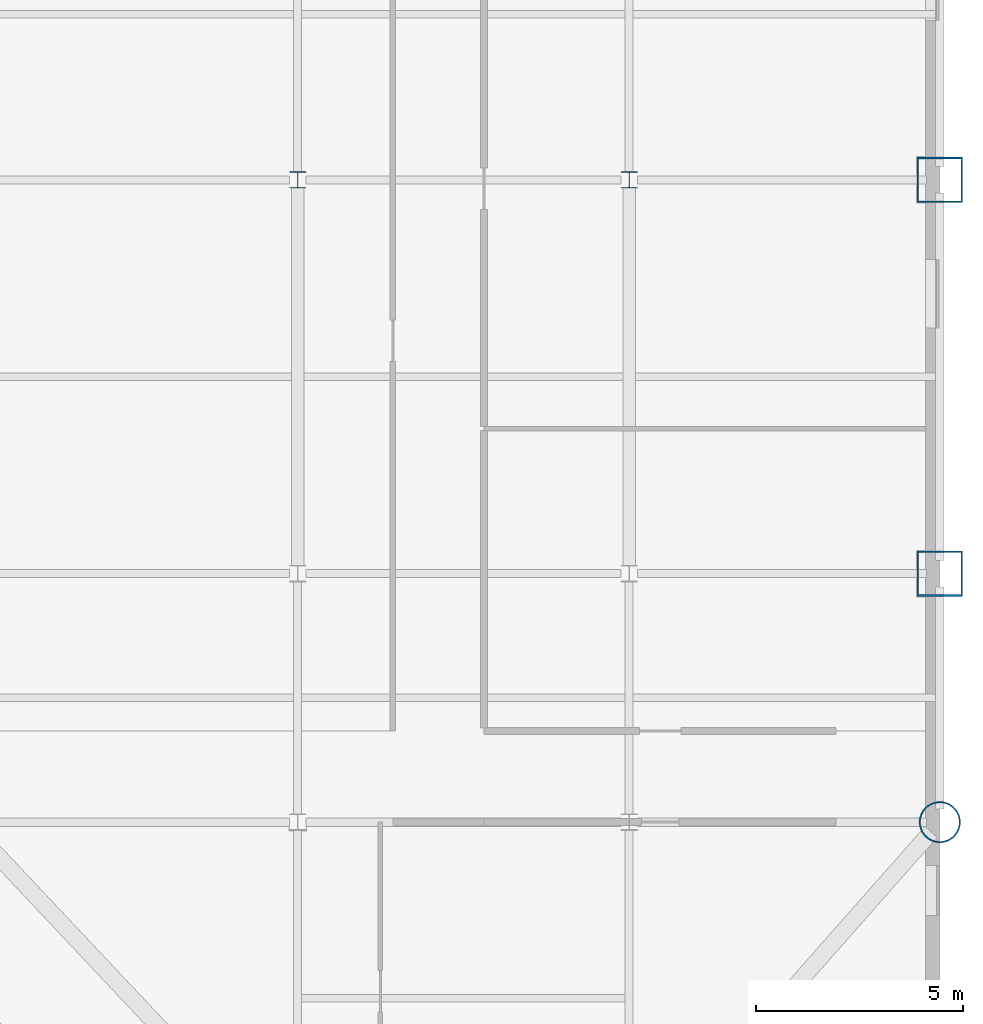
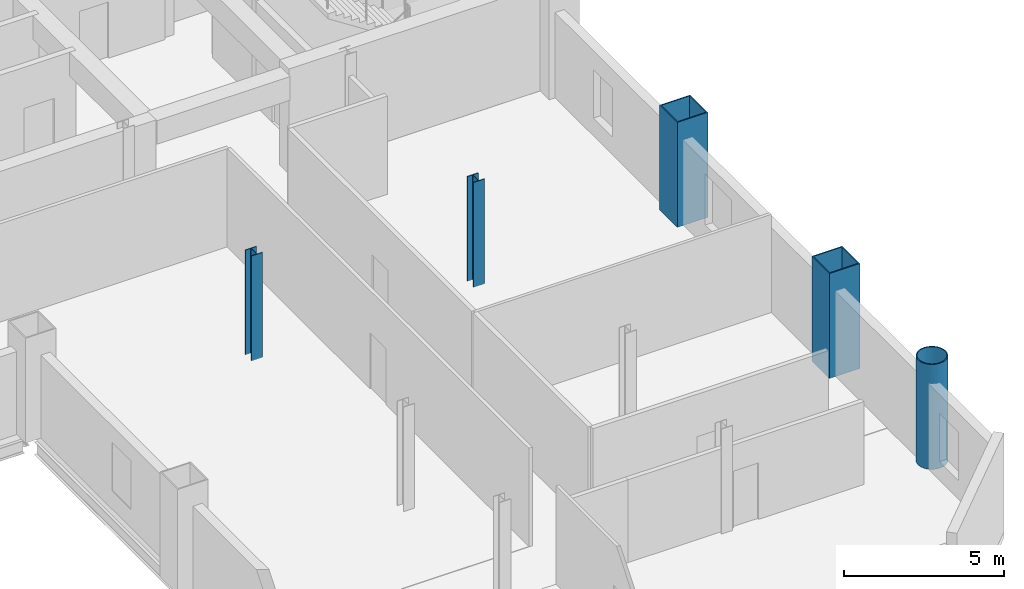
# One storey, part 2 of 9: 5 columns.
"""IFC4 building model written with IfcOpenShell, lengths in metres."""

import ifcopenshell
import ifcopenshell.guid

model = None  # the IFC model being written
_history = None  # IfcOwnerHistory: only IFC2X3 demands one
_inside = {}  # id of a spatial element -> (the spatial element, [elements in it])
_under = {}  # id of a project, library or spatial element -> (it, [spatial elements below it])
_declared = {}  # id of a project -> (the project, [libraries it declares])
_typed = {}  # id of a type object -> (the type object, [elements of that type])
_made_of = {}  # id of a material, layer set ... -> (it, [elements and type objects made of it])


def new_model(schema):
    """Start an empty IFC model of exactly this schema.

    Asked for "IFC4X3", IfcOpenShell would pick the latest addendum, in which some entities
    have other attributes; the version numbers below select the first issue.
    IFC2X3 requires an IfcOwnerHistory on every rooted entity: one is made here for all.
    """
    global model, _history
    if schema == "IFC4X3":
        model = ifcopenshell.file(schema_version=(4, 3, 0, 0))
    else:
        model = ifcopenshell.file(schema=schema)
    _inside.clear()
    _under.clear()
    _declared.clear()
    _typed.clear()
    _made_of.clear()
    _history = None
    if model.schema == "IFC2X3":
        org = make("IfcOrganization", Name="unknown")
        user = make(
            "IfcPersonAndOrganization",
            ThePerson=make("IfcPerson", FamilyName="unknown"),
            TheOrganization=org,
        )
        app = make(
            "IfcApplication",
            ApplicationDeveloper=org,
            Version="unknown",
            ApplicationFullName="unknown",
            ApplicationIdentifier="unknown",
        )
        _history = make(
            "IfcOwnerHistory",
            OwningUser=user,
            OwningApplication=app,
            ChangeAction="ADDED",
            CreationDate=0,
        )
    return model


def make(cls, **values):
    """One entity of the class cls with the attributes given. An attribute that is None is left unset."""
    return model.create_entity(
        cls, **{name: value for name, value in values.items() if value is not None}
    )


def rooted(cls, **values):
    """An entity with a GlobalId (a new one), such as an element, a storey or a relation."""
    return make(cls, GlobalId=ifcopenshell.guid.new(), OwnerHistory=_history, **values)


def si_unit(unit_type, name, prefix=None):
    """IfcSIUnit, for example si_unit("LENGTHUNIT", "METRE", prefix="MILLI")."""
    return make("IfcSIUnit", UnitType=unit_type, Prefix=prefix, Name=name)


def assignment(units):
    """IfcUnitAssignment: the units of a project."""
    return None if units is None else make("IfcUnitAssignment", Units=units)


def point(xyz):
    """IfcCartesianPoint."""
    return None if xyz is None else make("IfcCartesianPoint", Coordinates=xyz)


def direction(xyz):
    """IfcDirection."""
    return None if xyz is None else make("IfcDirection", DirectionRatios=xyz)


def frame(location, z_axis=None, x_axis=None):
    """IfcAxis2Placement3D, a coordinate frame: its origin and axes. An axis left out is left unset."""
    return make(
        "IfcAxis2Placement3D",
        Location=point(location),
        Axis=direction(z_axis),
        RefDirection=direction(x_axis),
    )


def frame_2d(location, x_axis=None):
    """IfcAxis2Placement2D, a coordinate frame in the plane: its origin and x axis."""
    return make(
        "IfcAxis2Placement2D", Location=point(location), RefDirection=direction(x_axis)
    )


def origin():
    """The frame at (0, 0, 0) with its axes left unset."""
    return frame((0.0, 0.0, 0.0))


def origin_2d():
    """The frame at (0, 0) in the plane with its x axis left unset."""
    return frame_2d((0.0, 0.0))


def place(relative_to, where):
    """IfcLocalPlacement: puts the frame where relative to a parent placement (None: the world)."""
    return make(
        "IfcLocalPlacement", PlacementRelTo=relative_to, RelativePlacement=where
    )


def context(
    kind, dimensions, precision=None, world=None, true_north=None, identifier=None
):
    """IfcGeometricRepresentationContext, for example the 3D "Model" context."""
    return make(
        "IfcGeometricRepresentationContext",
        ContextIdentifier=identifier,
        ContextType=kind,
        CoordinateSpaceDimension=dimensions,
        Precision=precision,
        WorldCoordinateSystem=world,
        TrueNorth=true_north,
    )


def subcontext(parent, identifier, kind, view, scale=None):
    """IfcGeometricRepresentationSubContext, for example "Body" below "Model"."""
    return make(
        "IfcGeometricRepresentationSubContext",
        ContextIdentifier=identifier,
        ContextType=kind,
        ParentContext=parent,
        TargetScale=scale,
        TargetView=view,
    )


def project(units=None, contexts=None):
    """IfcProject with its units and contexts."""
    return rooted(
        "IfcProject",
        Name="project",
        RepresentationContexts=contexts,
        UnitsInContext=assignment(units),
    )


def spatial(cls, under=None, at=None, **own):
    """A site, building, storey or space (cls), placed at a placement, below another one or the project."""
    s = rooted(cls, ObjectPlacement=at, **own)
    if under is not None:
        _under.setdefault(under.id(), (under, []))[1].append(s)
    return s


def profile(cls, at=None, kind="AREA", **sizes):
    """A parametric profile (cls). Its sizes go by their IFC names, for example OverallWidth=200.0."""
    return make(cls, ProfileType=kind, Position=at, **sizes)


def hollow_rectangle(**sizes):
    """IfcRectangleHollowProfileDef."""
    return profile("IfcRectangleHollowProfileDef", **sizes)


def hollow_circle(**sizes):
    """IfcCircleHollowProfileDef."""
    return profile("IfcCircleHollowProfileDef", **sizes)


def i_section(**sizes):
    """IfcIShapeProfileDef."""
    return profile("IfcIShapeProfileDef", **sizes)


def extrude(swept, where, along, depth):
    """IfcExtrudedAreaSolid: the profile swept, set in the frame where, extruded along a direction by depth."""
    return make(
        "IfcExtrudedAreaSolid",
        SweptArea=swept,
        Position=where,
        ExtrudedDirection=direction(along),
        Depth=depth,
    )


def shape(context_of_items, identifier, shape_type, items):
    """IfcShapeRepresentation: the items that make up one representation, for example the "Body"."""
    return make(
        "IfcShapeRepresentation",
        ContextOfItems=context_of_items,
        RepresentationIdentifier=identifier,
        RepresentationType=shape_type,
        Items=items,
    )


def material(Name=None, Category=None):
    """IfcMaterial."""
    return make("IfcMaterial", Name=Name, Category=Category)


def material_profile(
    of_material, cross_section, Name=None, Category=None, Priority=None
):
    """IfcMaterialProfile: a cross section and its material."""
    return make(
        "IfcMaterialProfile",
        Name=Name,
        Material=of_material,
        Profile=cross_section,
        Priority=Priority,
        Category=Category,
    )


def profile_set(profiles, Name=None, composite=None):
    """IfcMaterialProfileSet."""
    return make(
        "IfcMaterialProfileSet",
        Name=Name,
        MaterialProfiles=profiles,
        CompositeProfile=composite,
    )


def made_of(thing, what):
    """Note that an element or type object is made of a material, layer set ...; save() writes the relation."""
    if what is not None:
        _made_of.setdefault(what.id(), (what, []))[1].append(thing)
    return thing


def type_object(cls, material=None, **own):
    """A type object (cls), such as IfcWallType, which elements share."""
    return made_of(rooted(cls, **own), material)


def element(
    cls,
    number,
    at=None,
    inside=None,
    cuts=None,
    type_object=None,
    material=None,
    context=None,
    identifier="Body",
    shape_type=None,
    held_by="IfcProductDefinitionShape",
    body=None,
    shapes=None,
    **own,
):
    """One element of the class cls, such as IfcWall. Its Tag is "e" and its number.

    at: its placement. inside: the storey or other place that contains it. cuts: it is an
    opening in that element (IfcRelVoidsElement). A single representation is given by context,
    identifier, shape_type and body (its items); several are given by shapes. held_by: the class
    of the entity that holds the representations. save() writes the other relations.
    """
    e = rooted(cls, Tag="e%d" % number, ObjectPlacement=at, **own)
    if body is not None:
        shapes = [shape(context, identifier, shape_type, body)]
    if shapes is not None:
        e.Representation = make(held_by, Representations=shapes)
    if inside is not None:
        _inside.setdefault(inside.id(), (inside, []))[1].append(e)
    if cuts is not None:
        rooted(
            "IfcRelVoidsElement", RelatingBuildingElement=cuts, RelatedOpeningElement=e
        )
    if type_object is not None:
        _typed.setdefault(type_object.id(), (type_object, []))[1].append(e)
    return made_of(e, material)


def aggregate(whole, parts):
    """IfcRelAggregates: a whole, such as a stair, and the parts it consists of."""
    return rooted("IfcRelAggregates", RelatingObject=whole, RelatedObjects=parts)


def save(model, path):
    """Write the relations noted so far, then the file.

    IfcRelAggregates (storeys below a building ...), IfcRelContainedInSpatialStructure (elements
    in a storey), IfcRelDefinesByType, IfcRelAssociatesMaterial and IfcRelDeclares: one each for
    every whole, place, type object, material and project.
    """
    for whole, parts in _under.values():
        aggregate(whole, parts)
    for where, things in _inside.values():
        rooted(
            "IfcRelContainedInSpatialStructure",
            RelatedElements=things,
            RelatingStructure=where,
        )
    for kind, things in _typed.values():
        rooted("IfcRelDefinesByType", RelatedObjects=things, RelatingType=kind)
    for what, things in _made_of.values():
        rooted("IfcRelAssociatesMaterial", RelatedObjects=things, RelatingMaterial=what)
    for by, libraries in _declared.values():
        rooted("IfcRelDeclares", RelatingContext=by, RelatedDefinitions=libraries)
    model.write(path)


model = new_model("IFC4")

# Units and contexts
model_context = context("Model", 3, precision=1e-05, world=origin(), true_north=direction((0.0, 1.0)))
body_context = subcontext(model_context, "Body", "Model", "MODEL_VIEW")
ifc_project = project(units=[si_unit("LENGTHUNIT", "METRE"), si_unit("AREAUNIT", "SQUARE_METRE"), si_unit("VOLUMEUNIT", "CUBIC_METRE"), si_unit("PLANEANGLEUNIT", "RADIAN"), si_unit("MASSUNIT", "GRAM", prefix="KILO")], contexts=[model_context])

# Site, building, storey
site_placement = place(None, origin())
site = spatial("IfcSite", under=ifc_project, at=site_placement, CompositionType="ELEMENT")
building_placement = place(site_placement, origin())
building = spatial("IfcBuilding", under=site, at=building_placement, Name="Qianrong Seaharbour Tower", CompositionType="ELEMENT")
storey_placement = place(building_placement, frame((0.0, 0.0, 147.0)))
storey = spatial("IfcBuildingStorey", under=building, at=storey_placement, Name="L35", CompositionType="ELEMENT", Elevation=147.0)

# Columns
ifc_material = material(Name="Structural steel SN490B", Category="steel")
ifc_material_profile_1 = material_profile(ifc_material, hollow_rectangle(XDim=1.10009765625, YDim=1.10009765625, WallThickness=0.0400390625, at=origin_2d()), Name="BOX1100x1100x40")
ifc_profile_set_1 = profile_set([ifc_material_profile_1], Name="Structural steel SN490B")
column_type_1 = type_object("IfcColumnType", Name="COL-CFT-1100", PredefinedType="COLUMN", material=ifc_profile_set_1)
for number, where, z_axis, x_axis, name in (
    (1, (64.0, 18.5, 0.0), (0.0, 0.0, 1.0), (1.0, 0.0, 0.0), "L35 Column MC-3 at G9/GD"),
    (2, (64.0, 28.0, 0.0), (0.0, 0.0, 1.0), (1.0, 0.0, 0.0), "L35 Column MC-3 at G9/GE"),
):
    element("IfcColumn", number, at=place(storey_placement, frame(where, z_axis=z_axis, x_axis=x_axis)), inside=storey, type_object=column_type_1, Name=name, PredefinedType="COLUMN", context=body_context, shape_type="SweptSolid", body=[
        extrude(hollow_rectangle(XDim=1.10009765625, YDim=1.10009765625, WallThickness=0.0400390625, at=origin_2d()), origin(), (0.0, 0.0, 1.0), 4.0),
    ])
ifc_material_profile_2 = material_profile(ifc_material, hollow_circle(Radius=0.5, WallThickness=0.035888671875, at=origin_2d()), Name="CHS1000x36")
ifc_profile_set_2 = profile_set([ifc_material_profile_2], Name="Structural steel SN490B")
column_type_2 = type_object("IfcColumnType", Name="COL-CHS-1000", PredefinedType="COLUMN", material=ifc_profile_set_2)
column_placement = place(storey_placement, frame((64.0, 12.5, 0.0), z_axis=(0.0, 0.0, 1.0), x_axis=(1.0, 0.0, 0.0)))
element("IfcColumn", 3, at=column_placement, inside=storey, type_object=column_type_2, Name="L35 Column CC-2 at G9/GC", PredefinedType="COLUMN", context=body_context, shape_type="SweptSolid", body=[
    extrude(hollow_circle(Radius=0.5, WallThickness=0.035888671875, at=origin_2d()), origin(), (0.0, 0.0, 1.0), 4.0),
])
ifc_material_profile_3 = material_profile(ifc_material, i_section(OverallWidth=0.39990234375, OverallDepth=0.39990234375, WebThickness=0.012939453125, FlangeThickness=0.02099609375, FilletRadius=0.02197265625, at=origin_2d()), Name="H400x400x13x21")
ifc_profile_set_3 = profile_set([ifc_material_profile_3], Name="Structural steel SN490B")
column_type_3 = type_object("IfcColumnType", Name="COL-INT-H400", PredefinedType="COLUMN", material=ifc_profile_set_3)
for number, where, z_axis, x_axis, name in (
    (4, (48.5, 28.0, 0.0), (0.0, 0.0, 1.0), (1.0, 0.0, 0.0), "L35 Column IC-3 at G7/GE"),
    (5, (56.5, 28.0, 0.0), (0.0, 0.0, 1.0), (1.0, 0.0, 0.0), "L35 Column IC-3 at G8/GE"),
):
    element("IfcColumn", number, at=place(storey_placement, frame(where, z_axis=z_axis, x_axis=x_axis)), inside=storey, type_object=column_type_3, Name=name, PredefinedType="COLUMN", context=body_context, shape_type="SweptSolid", body=[
        extrude(i_section(OverallWidth=0.39990234375, OverallDepth=0.39990234375, WebThickness=0.012939453125, FlangeThickness=0.02099609375, FilletRadius=0.02197265625, at=origin_2d()), origin(), (0.0, 0.0, 1.0), 4.0),
    ])

save(model, "model.ifc")
